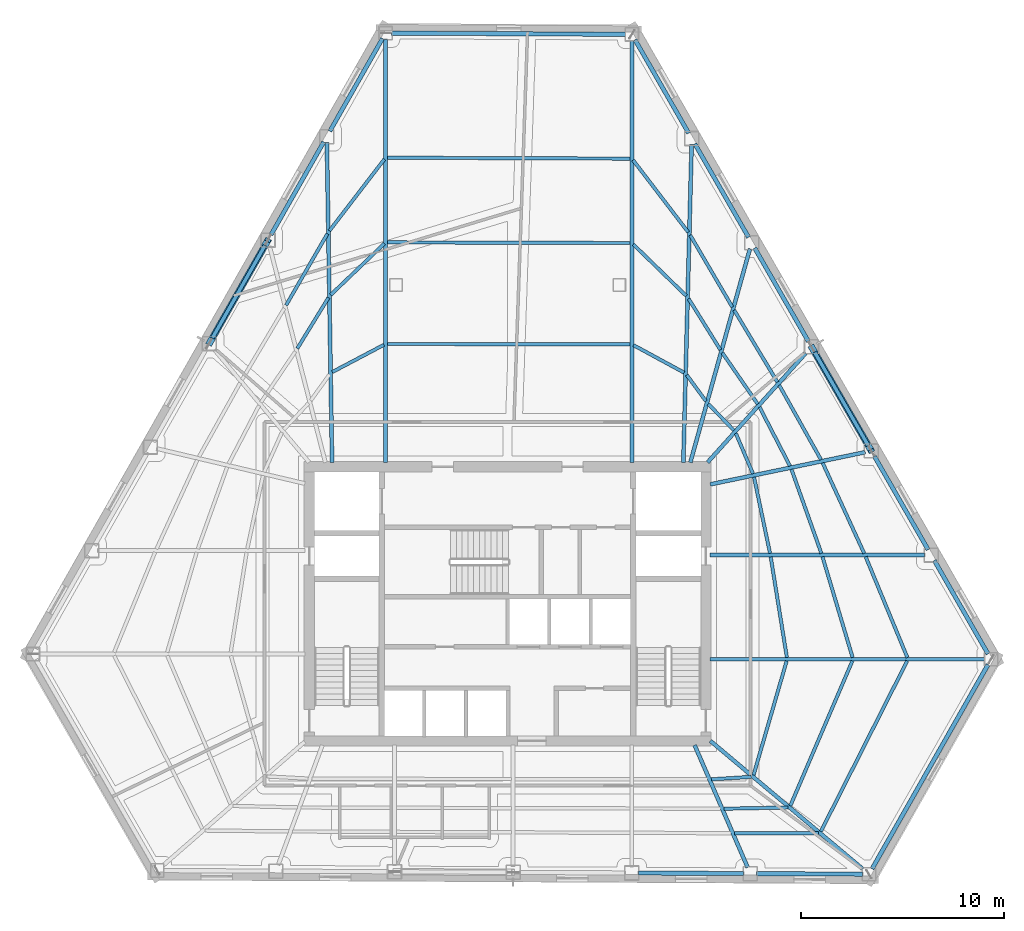
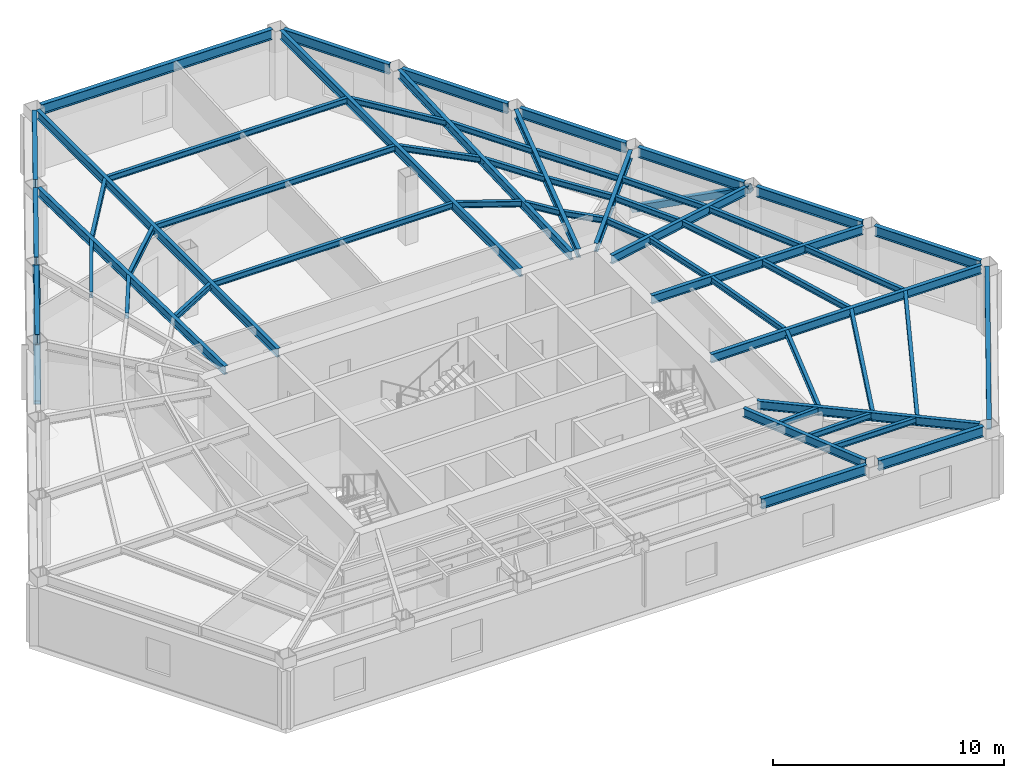
# One storey, part 2 of 12: 56 beams, 2 members.
"""IFC4 building model written with IfcOpenShell, lengths in metres."""

from ifc_helpers import new_model, si_unit, direction, frame, origin, origin_2d, place, context, subcontext, project, spatial, hollow_rectangle, i_section, extrude, material, material_profile, profile_set, type_object, element, save


model = new_model("IFC4")

# Units and contexts
model_context = context("Model", 3, precision=1e-05, world=origin(), true_north=direction((0.0, 1.0)))
body_context = subcontext(model_context, "Body", "Model", "MODEL_VIEW")
ifc_project = project(units=[si_unit("LENGTHUNIT", "METRE"), si_unit("AREAUNIT", "SQUARE_METRE"), si_unit("VOLUMEUNIT", "CUBIC_METRE"), si_unit("PLANEANGLEUNIT", "RADIAN"), si_unit("MASSUNIT", "GRAM", prefix="KILO")], contexts=[model_context])

# Site, building, storey
site_placement = place(None, origin())
site = spatial("IfcSite", under=ifc_project, at=site_placement, CompositionType="ELEMENT")
building_placement = place(site_placement, origin())
building = spatial("IfcBuilding", under=site, at=building_placement, Name="Kavelnor Concourse Tower", CompositionType="ELEMENT")
storey_placement = place(building_placement, frame((0.0, 0.0, 104.75)))
storey = spatial("IfcBuildingStorey", under=building, at=storey_placement, Name="L26", CompositionType="ELEMENT", Elevation=104.75)

# Beams
ifc_material = material(Name="Steel Grade 350", Category="steel")
ifc_material_profile_1 = material_profile(ifc_material, i_section(OverallWidth=0.166015625, OverallDepth=0.306884765625, WebThickness=0.006591796875, FlangeThickness=0.01171875, at=origin_2d()), Name="310UB46")
ifc_profile_set_1 = profile_set([ifc_material_profile_1], Name="Steel Grade 350")
beam_type_1 = type_object("IfcBeamType", Name="BM-JOIST-310", PredefinedType="JOIST", material=ifc_profile_set_1)
beam_1_placement = place(storey_placement, frame((48.0322265625, 7.45703125, 3.446533203125), z_axis=(0.998104270478, 0.061545635537, 0.0), x_axis=(-0.061545635537, 0.998104270478, 0.0)))
element("IfcBeam", 1, at=beam_1_placement, inside=storey, type_object=beam_type_1, Name="L26 Secondary Composite Joist 07-1", PredefinedType="JOIST", context=body_context, shape_type="SweptSolid", body=[
    extrude(i_section(OverallWidth=0.166015625, OverallDepth=0.306884765625, WebThickness=0.006591796875, FlangeThickness=0.01171875, at=origin_2d()), origin(), (0.0, 0.0, 1.0), 1.971435546875),
])
beam_2_placement = place(storey_placement, frame((48.659423828125, 6.0087890625, 3.446533203125), z_axis=(0.999815656937, 0.019200316223, 0.0), x_axis=(-0.019200316223, 0.999815656937, 0.0)))
element("IfcBeam", 2, at=beam_2_placement, inside=storey, type_object=beam_type_1, Name="L26 Secondary Composite Joist 07-2", PredefinedType="JOIST", context=body_context, shape_type="SweptSolid", body=[
    extrude(i_section(OverallWidth=0.166015625, OverallDepth=0.306884765625, WebThickness=0.006591796875, FlangeThickness=0.01171875, at=origin_2d()), origin(), (0.0, 0.0, 1.0), 3.140625),
])
beam_3_placement = place(storey_placement, frame((49.181884765625, 4.8037109375, 3.446533203125), z_axis=(0.999998901306, 0.001482358288, 0.0), x_axis=(-0.001482358288, 0.999998901306, 0.0)))
element("IfcBeam", 3, at=beam_3_placement, inside=storey, type_object=beam_type_1, Name="L26 Secondary Composite Joist 07-3", PredefinedType="JOIST", context=body_context, shape_type="SweptSolid", body=[
    extrude(i_section(OverallWidth=0.166015625, OverallDepth=0.306884765625, WebThickness=0.006591796875, FlangeThickness=0.01171875, at=origin_2d()), origin(), (0.0, 0.0, 1.0), 4.117431640625),
])
beam_4_placement = place(storey_placement, frame((50.11376953125, 7.669189453125, 3.446533203125), z_axis=(0.278659955964, 0.960389831757, 0.0), x_axis=(-0.960389831757, 0.278659955964, 0.0)))
element("IfcBeam", 4, at=beam_4_placement, inside=storey, type_object=beam_type_1, Name="L26 Secondary Composite Joist 08-1", PredefinedType="JOIST", context=body_context, shape_type="SweptSolid", body=[
    extrude(i_section(OverallWidth=0.166015625, OverallDepth=0.306884765625, WebThickness=0.006591796875, FlangeThickness=0.01171875, at=origin_2d()), origin(), (0.0, 0.0, 1.0), 5.849853515625),
])
beam_5_placement = place(storey_placement, frame((51.923583984375, 6.152587890625, 3.446533203125), z_axis=(0.393706805824, 0.919236069271, 0.0), x_axis=(-0.919236069271, 0.393706805824, 0.0)))
element("IfcBeam", 5, at=beam_5_placement, inside=storey, type_object=beam_type_1, Name="L26 Secondary Composite Joist 08-2", PredefinedType="JOIST", context=body_context, shape_type="SweptSolid", body=[
    extrude(i_section(OverallWidth=0.166015625, OverallDepth=0.306884765625, WebThickness=0.006591796875, FlangeThickness=0.01171875, at=origin_2d()), origin(), (0.0, 0.0, 1.0), 7.765625),
])
beam_6_placement = place(storey_placement, frame((53.428466796875, 4.889404296875, 3.446533203125), z_axis=(0.451573149017, 0.892234101056, 0.0), x_axis=(-0.892234101056, 0.451573149017, 0.0)))
element("IfcBeam", 6, at=beam_6_placement, inside=storey, type_object=beam_type_1, Name="L26 Secondary Composite Joist 08-3", PredefinedType="JOIST", context=body_context, shape_type="SweptSolid", body=[
    extrude(i_section(OverallWidth=0.166015625, OverallDepth=0.306884765625, WebThickness=0.006591796875, FlangeThickness=0.01171875, at=origin_2d()), origin(), (0.0, 0.0, 1.0), 9.419189453125),
])
beam_7_placement = place(storey_placement, frame((51.75439453125, 13.460693359375, 3.446533203125), z_axis=(-0.158863640224, 0.987300533685, 0.0), x_axis=(-0.987300533685, -0.158863640224, 0.0)))
element("IfcBeam", 7, at=beam_7_placement, inside=storey, type_object=beam_type_1, Name="L26 Secondary Composite Joist 09-1", PredefinedType="JOIST", context=body_context, shape_type="SweptSolid", body=[
    extrude(i_section(OverallWidth=0.166015625, OverallDepth=0.306884765625, WebThickness=0.006591796875, FlangeThickness=0.01171875, at=origin_2d()), origin(), (0.0, 0.0, 1.0), 5.01611328125),
])
beam_8_placement = place(storey_placement, frame((54.990478515625, 13.4580078125, 3.446533203125), z_axis=(-0.286404075349, 0.958108921587, 0.0), x_axis=(-0.958108921587, -0.286404075349, 0.0)))
element("IfcBeam", 8, at=beam_8_placement, inside=storey, type_object=beam_type_1, Name="L26 Secondary Composite Joist 09-2", PredefinedType="JOIST", context=body_context, shape_type="SweptSolid", body=[
    extrude(i_section(OverallWidth=0.166015625, OverallDepth=0.306884765625, WebThickness=0.006591796875, FlangeThickness=0.01171875, at=origin_2d()), origin(), (0.0, 0.0, 1.0), 5.17431640625),
])
beam_9_placement = place(storey_placement, frame((57.68798828125, 13.455078125, 3.446533203125), z_axis=(-0.382397286143, 0.923998006248, 0.0), x_axis=(-0.923998006248, -0.382397286143, 0.0)))
element("IfcBeam", 9, at=beam_9_placement, inside=storey, type_object=beam_type_1, Name="L26 Secondary Composite Joist 09-3", PredefinedType="JOIST", context=body_context, shape_type="SweptSolid", body=[
    extrude(i_section(OverallWidth=0.166015625, OverallDepth=0.306884765625, WebThickness=0.006591796875, FlangeThickness=0.01171875, at=origin_2d()), origin(), (0.0, 0.0, 1.0), 5.371826171875),
])
beam_10_placement = place(storey_placement, frame((50.9248046875, 18.587890625, 3.446533203125), z_axis=(-0.205673405393, 0.978620687659, 0.0), x_axis=(-0.978620687659, -0.205673405393, 0.0)))
element("IfcBeam", 10, at=beam_10_placement, inside=storey, type_object=beam_type_1, Name="L26 Secondary Composite Joist 10-1", PredefinedType="JOIST", context=body_context, shape_type="SweptSolid", body=[
    extrude(i_section(OverallWidth=0.166015625, OverallDepth=0.306884765625, WebThickness=0.006591796875, FlangeThickness=0.01171875, at=origin_2d()), origin(), (0.0, 0.0, 1.0), 3.8330078125),
])
beam_11_placement = place(storey_placement, frame((53.453369140625, 18.584716796875, 3.446533203125), z_axis=(-0.335455943396, 0.942055895391, 0.0), x_axis=(-0.942055895391, -0.335455943396, 0.0)))
element("IfcBeam", 11, at=beam_11_placement, inside=storey, type_object=beam_type_1, Name="L26 Secondary Composite Joist 10-2", PredefinedType="JOIST", context=body_context, shape_type="SweptSolid", body=[
    extrude(i_section(OverallWidth=0.166015625, OverallDepth=0.306884765625, WebThickness=0.006591796875, FlangeThickness=0.01171875, at=origin_2d()), origin(), (0.0, 0.0, 1.0), 4.39208984375),
])
beam_12_placement = place(storey_placement, frame((55.5625, 18.581787109375, 3.446533203125), z_axis=(-0.417382504058, 0.90873089818, 0.0), x_axis=(-0.90873089818, -0.417382504058, 0.0)))
element("IfcBeam", 12, at=beam_12_placement, inside=storey, type_object=beam_type_1, Name="L26 Secondary Composite Joist 10-3", PredefinedType="JOIST", context=body_context, shape_type="SweptSolid", body=[
    extrude(i_section(OverallWidth=0.166015625, OverallDepth=0.306884765625, WebThickness=0.006591796875, FlangeThickness=0.01171875, at=origin_2d()), origin(), (0.0, 0.0, 1.0), 4.908203125),
])
beam_13_placement = place(storey_placement, frame((50.08349609375, 22.5078125, 3.446533203125), z_axis=(-0.390433592157, 0.92063109339, 0.0), x_axis=(-0.92063109339, -0.390433592157, 0.0)))
element("IfcBeam", 13, at=beam_13_placement, inside=storey, type_object=beam_type_1, Name="L26 Secondary Composite Joist 11-1", PredefinedType="JOIST", context=body_context, shape_type="SweptSolid", body=[
    extrude(i_section(OverallWidth=0.166015625, OverallDepth=0.306884765625, WebThickness=0.006591796875, FlangeThickness=0.01171875, at=origin_2d()), origin(), (0.0, 0.0, 1.0), 2.1572265625),
])
beam_14_placement = place(storey_placement, frame((51.9091796875, 22.88525390625, 3.446533203125), z_axis=(-0.45948593653, 0.888185044983, 0.0), x_axis=(-0.888185044983, -0.45948593653, 0.0)))
element("IfcBeam", 14, at=beam_14_placement, inside=storey, type_object=beam_type_1, Name="L26 Secondary Composite Joist 11-2", PredefinedType="JOIST", context=body_context, shape_type="SweptSolid", body=[
    extrude(i_section(OverallWidth=0.166015625, OverallDepth=0.306884765625, WebThickness=0.006591796875, FlangeThickness=0.01171875, at=origin_2d()), origin(), (0.0, 0.0, 1.0), 3.26708984375),
])
beam_15_placement = place(storey_placement, frame((53.433349609375, 23.20068359375, 3.446533203125), z_axis=(-0.489388988675, 0.872065604048, 0.0), x_axis=(-0.872065604048, -0.489388988675, 0.0)))
element("IfcBeam", 15, at=beam_15_placement, inside=storey, type_object=beam_type_1, Name="L26 Secondary Composite Joist 11-3", PredefinedType="JOIST", context=body_context, shape_type="SweptSolid", body=[
    extrude(i_section(OverallWidth=0.166015625, OverallDepth=0.306884765625, WebThickness=0.006591796875, FlangeThickness=0.01171875, at=origin_2d()), origin(), (0.0, 0.0, 1.0), 4.200439453125),
])
beam_16_placement = place(storey_placement, frame((49.14453125, 24.6396484375, 3.446533203125), z_axis=(-0.695096300528, 0.718916638417, 0.0), x_axis=(-0.718916638417, -0.695096300528, 0.0)))
element("IfcBeam", 16, at=beam_16_placement, inside=storey, type_object=beam_type_1, Name="L26 Secondary Composite Joist 12-1", PredefinedType="JOIST", context=body_context, shape_type="SweptSolid", body=[
    extrude(i_section(OverallWidth=0.166015625, OverallDepth=0.306884765625, WebThickness=0.006591796875, FlangeThickness=0.01171875, at=origin_2d()), origin(), (0.0, 0.0, 1.0), 1.814208984375),
])
beam_17_placement = place(storey_placement, frame((50.31640625, 25.939453125, 3.446533203125), z_axis=(-0.568057043562, 0.822989182954, 0.0), x_axis=(-0.822989182954, -0.568057043562, 0.0)))
element("IfcBeam", 17, at=beam_17_placement, inside=storey, type_object=beam_type_1, Name="L26 Secondary Composite Joist 12-2", PredefinedType="JOIST", context=body_context, shape_type="SweptSolid", body=[
    extrude(i_section(OverallWidth=0.166015625, OverallDepth=0.306884765625, WebThickness=0.006591796875, FlangeThickness=0.01171875, at=origin_2d()), origin(), (0.0, 0.0, 1.0), 3.062744140625),
])
beam_18_placement = place(storey_placement, frame((51.288330078125, 27.017578125, 3.446533203125), z_axis=(-0.515060120998, 0.85715405369, 0.0), x_axis=(-0.85715405369, -0.515060120998, 0.0)))
element("IfcBeam", 18, at=beam_18_placement, inside=storey, type_object=beam_type_1, Name="L26 Secondary Composite Joist 12-3", PredefinedType="JOIST", context=body_context, shape_type="SweptSolid", body=[
    extrude(i_section(OverallWidth=0.166015625, OverallDepth=0.306884765625, WebThickness=0.006591796875, FlangeThickness=0.01171875, at=origin_2d()), origin(), (0.0, 0.0, 1.0), 4.13427734375),
])
beam_19_placement = place(storey_placement, frame((47.76904296875, 26.07958984375, 3.446533203125), z_axis=(-0.591231466812, 0.806501923526, 0.0), x_axis=(-0.806501923526, -0.591231466812, 0.0)))
element("IfcBeam", 19, at=beam_19_placement, inside=storey, type_object=beam_type_1, Name="L26 Secondary Composite Joist 13-1", PredefinedType="JOIST", context=body_context, shape_type="SweptSolid", body=[
    extrude(i_section(OverallWidth=0.166015625, OverallDepth=0.306884765625, WebThickness=0.006591796875, FlangeThickness=0.01171875, at=origin_2d()), origin(), (0.0, 0.0, 1.0), 1.601318359375),
])
beam_20_placement = place(storey_placement, frame((48.47900390625, 28.608642578125, 3.446533203125), z_axis=(-0.528101194385, 0.849181446152, 0.0), x_axis=(-0.849181446152, -0.528101194385, 0.0)))
element("IfcBeam", 20, at=beam_20_placement, inside=storey, type_object=beam_type_1, Name="L26 Secondary Composite Joist 13-2", PredefinedType="JOIST", context=body_context, shape_type="SweptSolid", body=[
    extrude(i_section(OverallWidth=0.166015625, OverallDepth=0.306884765625, WebThickness=0.006591796875, FlangeThickness=0.01171875, at=origin_2d()), origin(), (0.0, 0.0, 1.0), 2.96240234375),
])
beam_21_placement = place(storey_placement, frame((49.068115234375, 30.71435546875, 3.446533203125), z_axis=(-0.505575920492, 0.862782121174, 0.0), x_axis=(-0.862782121174, -0.505575920492, 0.0)))
element("IfcBeam", 21, at=beam_21_placement, inside=storey, type_object=beam_type_1, Name="L26 Secondary Composite Joist 13-3", PredefinedType="JOIST", context=body_context, shape_type="SweptSolid", body=[
    extrude(i_section(OverallWidth=0.166015625, OverallDepth=0.306884765625, WebThickness=0.006591796875, FlangeThickness=0.01171875, at=origin_2d()), origin(), (0.0, 0.0, 1.0), 4.102294921875),
])
beam_22_placement = place(storey_placement, frame((46.69140625, 27.4853515625, 3.446533203125), z_axis=(-0.878947364691, 0.476918787744, 0.0), x_axis=(-0.476918787744, -0.878947364691, 0.0)))
element("IfcBeam", 22, at=beam_22_placement, inside=storey, type_object=beam_type_1, Name="L26 Secondary Composite Joist 14-1", PredefinedType="JOIST", context=body_context, shape_type="SweptSolid", body=[
    extrude(i_section(OverallWidth=0.166015625, OverallDepth=0.306884765625, WebThickness=0.006591796875, FlangeThickness=0.01171875, at=origin_2d()), origin(), (0.0, 0.0, 1.0), 2.8330078125),
])
beam_23_placement = place(storey_placement, frame((46.8037109375, 31.26171875, 3.446533203125), z_axis=(-0.717171401235, 0.696896822529, 0.0), x_axis=(-0.696896822529, -0.717171401235, 0.0)))
element("IfcBeam", 23, at=beam_23_placement, inside=storey, type_object=beam_type_1, Name="L26 Secondary Composite Joist 14-2", PredefinedType="JOIST", context=body_context, shape_type="SweptSolid", body=[
    extrude(i_section(OverallWidth=0.166015625, OverallDepth=0.306884765625, WebThickness=0.006591796875, FlangeThickness=0.01171875, at=origin_2d()), origin(), (0.0, 0.0, 1.0), 3.648681640625),
])
beam_24_placement = place(storey_placement, frame((46.89501953125, 34.401123046875, 3.446533203125), z_axis=(-0.607764194886, 0.794117550124, 0.0), x_axis=(-0.794117550124, -0.607764194886, 0.0)))
element("IfcBeam", 24, at=beam_24_placement, inside=storey, type_object=beam_type_1, Name="L26 Secondary Composite Joist 14-3", PredefinedType="JOIST", context=body_context, shape_type="SweptSolid", body=[
    extrude(i_section(OverallWidth=0.166015625, OverallDepth=0.306884765625, WebThickness=0.006591796875, FlangeThickness=0.01171875, at=origin_2d()), origin(), (0.0, 0.0, 1.0), 4.471435546875),
])
for number, where, z_axis, x_axis, name in (
    (25, (44.0341796875, 28.87890625, 3.446533203125), (-0.999998948729, 0.001450013793, 0.0), (-0.001450013793, -0.999998948729, 0.0), "L26 Secondary Composite Joist 15-1"),
    (26, (44.0341796875, 33.86669921875, 3.446533203125), (-0.999996421189, 0.002675370799, 0.0), (-0.002675370799, -0.999996421189, 0.0), "L26 Secondary Composite Joist 15-2"),
    (27, (44.0341796875, 38.02294921875, 3.446533203125), (-0.99999301613, 0.003737337322, 0.0), (-0.003737337322, -0.99999301613, 0.0), "L26 Secondary Composite Joist 15-3"),
):
    element("IfcBeam", number, at=place(storey_placement, frame(where, z_axis=z_axis, x_axis=x_axis)), inside=storey, type_object=beam_type_1, Name=name, PredefinedType="JOIST", context=body_context, shape_type="SweptSolid", body=[
        extrude(i_section(OverallWidth=0.166015625, OverallDepth=0.306884765625, WebThickness=0.006591796875, FlangeThickness=0.01171875, at=origin_2d()), origin(), (0.0, 0.0, 1.0), 11.954345703125),
    ])
beam_25_placement = place(storey_placement, frame((31.912109375, 28.85498046875, 3.446533203125), z_axis=(-0.884448894536, -0.466637067703, 0.0), x_axis=(0.466637067703, -0.884448894536, 0.0)))
element("IfcBeam", 28, at=beam_25_placement, inside=storey, type_object=beam_type_1, Name="L26 Secondary Composite Joist 16-1", PredefinedType="JOIST", context=body_context, shape_type="SweptSolid", body=[
    extrude(i_section(OverallWidth=0.166015625, OverallDepth=0.306884765625, WebThickness=0.006591796875, FlangeThickness=0.01171875, at=origin_2d()), origin(), (0.0, 0.0, 1.0), 2.880126953125),
])
beam_26_placement = place(storey_placement, frame((31.926513671875, 33.83740234375, 3.446533203125), z_axis=(-0.722148165539, -0.691738409378, 0.0), x_axis=(0.691738409378, -0.722148165539, 0.0)))
element("IfcBeam", 29, at=beam_26_placement, inside=storey, type_object=beam_type_1, Name="L26 Secondary Composite Joist 16-2", PredefinedType="JOIST", context=body_context, shape_type="SweptSolid", body=[
    extrude(i_section(OverallWidth=0.166015625, OverallDepth=0.306884765625, WebThickness=0.006591796875, FlangeThickness=0.01171875, at=origin_2d()), origin(), (0.0, 0.0, 1.0), 3.65283203125),
])
beam_27_placement = place(storey_placement, frame((31.9365234375, 37.997314453125, 3.446533203125), z_axis=(-0.609050102371, -0.793131749965, 0.0), x_axis=(0.793131749965, -0.609050102371, 0.0)))
element("IfcBeam", 30, at=beam_27_placement, inside=storey, type_object=beam_type_1, Name="L26 Secondary Composite Joist 16-3", PredefinedType="JOIST", context=body_context, shape_type="SweptSolid", body=[
    extrude(i_section(OverallWidth=0.166015625, OverallDepth=0.306884765625, WebThickness=0.006591796875, FlangeThickness=0.01171875, at=origin_2d()), origin(), (0.0, 0.0, 1.0), 4.4482421875),
])
beam_28_placement = place(storey_placement, frame((29.177734375, 31.173095703125, 3.446533203125), z_axis=(-0.52281402565, -0.852446769355, 0.0), x_axis=(0.852446769355, -0.52281402565, 0.0)))
element("IfcBeam", 31, at=beam_28_placement, inside=storey, type_object=beam_type_1, Name="L26 Secondary Composite Joist 17-2", PredefinedType="JOIST", context=body_context, shape_type="SweptSolid", body=[
    extrude(i_section(OverallWidth=0.166015625, OverallDepth=0.306884765625, WebThickness=0.006591796875, FlangeThickness=0.01171875, at=origin_2d()), origin(), (0.0, 0.0, 1.0), 2.9306640625),
])
beam_29_placement = place(storey_placement, frame((29.12841796875, 34.321533203125, 3.446533203125), z_axis=(-0.500882269219, -0.865515425849, 0.0), x_axis=(0.865515425849, -0.500882269219, 0.0)))
element("IfcBeam", 32, at=beam_29_placement, inside=storey, type_object=beam_type_1, Name="L26 Secondary Composite Joist 17-3", PredefinedType="JOIST", context=body_context, shape_type="SweptSolid", body=[
    extrude(i_section(OverallWidth=0.166015625, OverallDepth=0.306884765625, WebThickness=0.006591796875, FlangeThickness=0.01171875, at=origin_2d()), origin(), (0.0, 0.0, 1.0), 4.062255859375),
])
ifc_material_profile_2 = material_profile(ifc_material, i_section(OverallWidth=0.18994140625, OverallDepth=0.4541015625, WebThickness=0.008544921875, FlangeThickness=0.0126953125, at=origin_2d()), Name="460UB67")
ifc_profile_set_2 = profile_set([ifc_material_profile_2], Name="Steel Grade 350")
beam_type_2 = type_object("IfcBeamType", Name="BM-PRIMARY-460", PredefinedType="BEAM", material=ifc_profile_set_2)
beam_30_placement = place(storey_placement, frame((31.99072265625, 23.06005859375, 3.373046875), z_axis=(0.0, 1.0, 0.0), x_axis=(-1.0, 0.0, 0.0)))
element("IfcBeam", 33, at=beam_30_placement, inside=storey, type_object=beam_type_2, Name="L26 Primary Floor Girder F0-B0", PredefinedType="BEAM", context=body_context, shape_type="SweptSolid", body=[
    extrude(i_section(OverallWidth=0.18994140625, OverallDepth=0.4541015625, WebThickness=0.008544921875, FlangeThickness=0.0126953125, at=origin_2d()), origin(), (0.0, 0.0, 1.0), 20.84423828125),
])
beam_31_placement = place(storey_placement, frame((29.35791015625, 23.06005859375, 3.373046875), z_axis=(-0.016291400811, 0.999867286323, 0.0), x_axis=(-0.999867286323, -0.016291400811, 0.0)))
element("IfcBeam", 34, at=beam_31_placement, inside=storey, type_object=beam_type_2, Name="L26 Primary Floor Girder F0-B1", PredefinedType="BEAM", context=body_context, shape_type="SweptSolid", body=[
    extrude(i_section(OverallWidth=0.18994140625, OverallDepth=0.4541015625, WebThickness=0.008544921875, FlangeThickness=0.0126953125, at=origin_2d()), origin(), (0.0, 0.0, 1.0), 15.750244140625),
])
beam_32_placement = place(storey_placement, frame((47.2119140625, 9.13671875, 3.373046875), z_axis=(0.398199465557, -0.917298852953, 0.0), x_axis=(0.917298852953, 0.398199465557, 0.0)))
element("IfcBeam", 35, at=beam_32_placement, inside=storey, type_object=beam_type_2, Name="L26 Primary Floor Girder F1-B5", PredefinedType="BEAM", context=body_context, shape_type="SweptSolid", body=[
    extrude(i_section(OverallWidth=0.18994140625, OverallDepth=0.4541015625, WebThickness=0.008544921875, FlangeThickness=0.0126953125, at=origin_2d()), origin(), (0.0, 0.0, 1.0), 6.560791015625),
])
beam_33_placement = place(storey_placement, frame((47.989501953125, 9.348876953125, 3.373046875), z_axis=(0.765433786045, -0.643514661201, 0.0), x_axis=(0.643514661201, 0.765433786045, 0.0)))
element("IfcBeam", 36, at=beam_33_placement, inside=storey, type_object=beam_type_2, Name="L26 Primary Floor Girder F1-B6", PredefinedType="BEAM", context=body_context, shape_type="SweptSolid", body=[
    extrude(i_section(OverallWidth=0.18994140625, OverallDepth=0.4541015625, WebThickness=0.008544921875, FlangeThickness=0.0126953125, at=origin_2d()), origin(), (0.0, 0.0, 1.0), 9.796142578125),
])
beam_34_placement = place(storey_placement, frame((47.97998046875, 13.372802734375, 3.373046875), z_axis=(1.0, 0.0, 0.0), x_axis=(0.0, 1.0, 0.0)))
element("IfcBeam", 37, at=beam_34_placement, inside=storey, type_object=beam_type_2, Name="L26 Primary Floor Girder F2-B0", PredefinedType="BEAM", context=body_context, shape_type="SweptSolid", body=[
    extrude(i_section(OverallWidth=0.18994140625, OverallDepth=0.4541015625, WebThickness=0.008544921875, FlangeThickness=0.0126953125, at=origin_2d()), origin(), (0.0, 0.0, 1.0), 13.53076171875),
])
beam_35_placement = place(storey_placement, frame((47.97998046875, 18.5009765625, 3.373046875), z_axis=(1.0, 0.0, 0.0), x_axis=(0.0, 1.0, 0.0)))
element("IfcBeam", 38, at=beam_35_placement, inside=storey, type_object=beam_type_2, Name="L26 Primary Floor Girder F2-B1", PredefinedType="BEAM", context=body_context, shape_type="SweptSolid", body=[
    extrude(i_section(OverallWidth=0.18994140625, OverallDepth=0.4541015625, WebThickness=0.008544921875, FlangeThickness=0.0126953125, at=origin_2d()), origin(), (0.0, 0.0, 1.0), 10.5830078125),
])
beam_36_placement = place(storey_placement, frame((47.980712890625, 21.982421875, 3.373046875), z_axis=(0.979136188722, 0.203205127726, 0.0), x_axis=(-0.203205127726, 0.979136188722, 0.0)))
element("IfcBeam", 39, at=beam_36_placement, inside=storey, type_object=beam_type_2, Name="L26 Primary Floor Girder F2-B2", PredefinedType="BEAM", context=body_context, shape_type="SweptSolid", body=[
    extrude(i_section(OverallWidth=0.18994140625, OverallDepth=0.4541015625, WebThickness=0.008544921875, FlangeThickness=0.0126953125, at=origin_2d()), origin(), (0.0, 0.0, 1.0), 7.796142578125),
])
beam_37_placement = place(storey_placement, frame((47.852294921875, 23.0703125, 3.373046875), z_axis=(0.668709151108, 0.743524089203, 0.0), x_axis=(-0.743524089203, 0.668709151108, 0.0)))
element("IfcBeam", 40, at=beam_37_placement, inside=storey, type_object=beam_type_2, Name="L26 Primary Floor Girder F2-B3", PredefinedType="BEAM", context=body_context, shape_type="SweptSolid", body=[
    extrude(i_section(OverallWidth=0.18994140625, OverallDepth=0.4541015625, WebThickness=0.008544921875, FlangeThickness=0.0126953125, at=origin_2d()), origin(), (0.0, 0.0, 1.0), 7.2314453125),
])
beam_38_placement = place(storey_placement, frame((46.999755859375, 23.0615234375, 3.373046875), z_axis=(0.268703010086, 0.963223075082, 0.0), x_axis=(-0.963223075082, 0.268703010086, 0.0)))
element("IfcBeam", 41, at=beam_38_placement, inside=storey, type_object=beam_type_2, Name="L26 Primary Floor Girder F2-B4", PredefinedType="BEAM", context=body_context, shape_type="SweptSolid", body=[
    extrude(i_section(OverallWidth=0.18994140625, OverallDepth=0.4541015625, WebThickness=0.008544921875, FlangeThickness=0.0126953125, at=origin_2d()), origin(), (0.0, 0.0, 1.0), 10.924072265625),
])
beam_39_placement = place(storey_placement, frame((46.655517578125, 23.06005859375, 3.373046875), z_axis=(0.026053290724, 0.99966055541, 0.0), x_axis=(-0.99966055541, 0.026053290724, 0.0)))
element("IfcBeam", 42, at=beam_39_placement, inside=storey, type_object=beam_type_2, Name="L26 Primary Floor Girder F2-B5", PredefinedType="BEAM", context=body_context, shape_type="SweptSolid", body=[
    extrude(i_section(OverallWidth=0.18994140625, OverallDepth=0.4541015625, WebThickness=0.008544921875, FlangeThickness=0.0126953125, at=origin_2d()), origin(), (0.0, 0.0, 1.0), 15.65869140625),
])
beam_40_placement = place(storey_placement, frame((44.123291015625, 23.06005859375, 3.373046875), z_axis=(0.0, 1.0, 0.0), x_axis=(-1.0, 0.0, 0.0)))
element("IfcBeam", 43, at=beam_40_placement, inside=storey, type_object=beam_type_2, Name="L26 Primary Floor Girder F2-B6", PredefinedType="BEAM", context=body_context, shape_type="SweptSolid", body=[
    extrude(i_section(OverallWidth=0.18994140625, OverallDepth=0.4541015625, WebThickness=0.008544921875, FlangeThickness=0.0126953125, at=origin_2d()), origin(), (0.0, 0.0, 1.0), 20.781494140625),
])
ifc_material_profile_3 = material_profile(ifc_material, i_section(OverallWidth=0.208984375, OverallDepth=0.532958984375, WebThickness=0.01025390625, FlangeThickness=0.015625, at=origin_2d()), Name="530UB92")
ifc_profile_set_3 = profile_set([ifc_material_profile_3], Name="Steel Grade 350")
beam_type_3 = type_object("IfcBeamType", Name="BM-SPANDREL-Z2", PredefinedType="SPANDREL", material=ifc_profile_set_3)
beam_41_placement = place(storey_placement, frame((31.840087890625, 43.939208984375, 3.33349609375), z_axis=(-0.493864017051, -0.869539149585, 0.0), x_axis=(0.869539149585, -0.493864017051, 0.0)))
element("IfcBeam", 44, at=beam_41_placement, inside=storey, type_object=beam_type_3, Name="L26 Perimeter Tube Spandrel Beam F0-B0", PredefinedType="SPANDREL", context=body_context, shape_type="SweptSolid", body=[
    extrude(i_section(OverallWidth=0.208984375, OverallDepth=0.532958984375, WebThickness=0.01025390625, FlangeThickness=0.015625, at=origin_2d()), origin(), (0.0, 0.0, 1.0), 5.2509765625),
])
beam_42_placement = place(storey_placement, frame((28.94580078125, 38.843017578125, 3.33349609375), z_axis=(-0.493879204086, -0.869530523772, 0.0), x_axis=(0.869530523772, -0.493879204086, 0.0)))
element("IfcBeam", 45, at=beam_42_placement, inside=storey, type_object=beam_type_3, Name="L26 Perimeter Tube Spandrel Beam F0-B1", PredefinedType="SPANDREL", context=body_context, shape_type="SweptSolid", body=[
    extrude(i_section(OverallWidth=0.208984375, OverallDepth=0.532958984375, WebThickness=0.01025390625, FlangeThickness=0.015625, at=origin_2d()), origin(), (0.0, 0.0, 1.0), 5.251220703125),
])
beam_43_placement = place(storey_placement, frame((26.051025390625, 33.74658203125, 3.33349609375), z_axis=(-0.493864017051, -0.869539149585, 0.0), x_axis=(0.869539149585, -0.493864017051, 0.0)))
element("IfcBeam", 46, at=beam_43_placement, inside=storey, type_object=beam_type_3, Name="L26 Perimeter Tube Spandrel Beam F0-B2", PredefinedType="SPANDREL", context=body_context, shape_type="SweptSolid", body=[
    extrude(i_section(OverallWidth=0.208984375, OverallDepth=0.532958984375, WebThickness=0.01025390625, FlangeThickness=0.015625, at=origin_2d()), origin(), (0.0, 0.0, 1.0), 5.2509765625),
])
beam_44_placement = place(storey_placement, frame((43.818359375, 44.14306640625, 3.33349609375), z_axis=(-0.99998652642, 0.005191047948, 0.0), x_axis=(-0.005191047948, -0.99998652642, 0.0)))
element("IfcBeam", 47, at=beam_44_placement, inside=storey, type_object=beam_type_3, Name="L26 Chamfer Facet Spandrel Beam C0", PredefinedType="SPANDREL", context=body_context, shape_type="SweptSolid", body=[
    extrude(i_section(OverallWidth=0.208984375, OverallDepth=0.532958984375, WebThickness=0.01025390625, FlangeThickness=0.015625, at=origin_2d()), origin(), (0.0, 0.0, 1.0), 11.522705078125),
])
for number, where, z_axis, x_axis, name in (
    (48, (44.420166015625, 2.843994140625, 3.33349609375), (0.99998658085, -0.005180552155, 0.0), (0.005180552155, 0.99998658085, 0.0), "L26 Perimeter Tube Spandrel Beam F1-B4"),
    (49, (50.26123046875, 2.813720703125, 3.33349609375), (0.99998658085, -0.005180552155, 0.0), (0.005180552155, 0.99998658085, 0.0), "L26 Perimeter Tube Spandrel Beam F1-B5"),
):
    element("IfcBeam", number, at=place(storey_placement, frame(where, z_axis=z_axis, x_axis=x_axis)), inside=storey, type_object=beam_type_3, Name=name, PredefinedType="SPANDREL", context=body_context, shape_type="SweptSolid", body=[
        extrude(i_section(OverallWidth=0.208984375, OverallDepth=0.532958984375, WebThickness=0.01025390625, FlangeThickness=0.015625, at=origin_2d()), origin(), (0.0, 0.0, 1.0), 5.23095703125),
    ])
beam_45_placement = place(storey_placement, frame((61.65869140625, 13.63720703125, 3.33349609375), z_axis=(-0.498352664623, 0.866974406579, 0.0), x_axis=(-0.866974406579, -0.498352664623, 0.0)))
element("IfcBeam", 50, at=beam_45_placement, inside=storey, type_object=beam_type_3, Name="L26 Perimeter Tube Spandrel Beam F2-B0", PredefinedType="SPANDREL", context=body_context, shape_type="SweptSolid", body=[
    extrude(i_section(OverallWidth=0.208984375, OverallDepth=0.532958984375, WebThickness=0.01025390625, FlangeThickness=0.015625, at=origin_2d()), origin(), (0.0, 0.0, 1.0), 5.30517578125),
])
beam_46_placement = place(storey_placement, frame((58.7109375, 18.765380859375, 3.33349609375), z_axis=(-0.498407138833, 0.866943091535, 0.0), x_axis=(-0.866943091535, -0.498407138833, 0.0)))
element("IfcBeam", 51, at=beam_46_placement, inside=storey, type_object=beam_type_3, Name="L26 Perimeter Tube Spandrel Beam F2-B1", PredefinedType="SPANDREL", context=body_context, shape_type="SweptSolid", body=[
    extrude(i_section(OverallWidth=0.208984375, OverallDepth=0.532958984375, WebThickness=0.01025390625, FlangeThickness=0.015625, at=origin_2d()), origin(), (0.0, 0.0, 1.0), 5.304931640625),
])
for number, where, z_axis, x_axis, name in (
    (52, (55.762939453125, 23.893310546875, 3.33349609375), (-0.498332781847, 0.866985835257, 0.0), (-0.866985835257, -0.498332781847, 0.0), "L26 Perimeter Tube Spandrel Beam F2-B2"),
    (53, (52.815185546875, 29.021484375, 3.33349609375), (-0.498387254264, 0.866954522906, 0.0), (-0.866954522906, -0.498387254264, 0.0), "L26 Perimeter Tube Spandrel Beam F2-B3"),
    (54, (49.8671875, 34.149658203125, 3.33349609375), (-0.498387254264, 0.866954522906, 0.0), (-0.866954522906, -0.498387254264, 0.0), "L26 Perimeter Tube Spandrel Beam F2-B4"),
    (55, (46.919189453125, 39.27783203125, 3.33349609375), (-0.498352664623, 0.866974406579, 0.0), (-0.866974406579, -0.498352664623, 0.0), "L26 Perimeter Tube Spandrel Beam F2-B5"),
):
    element("IfcBeam", number, at=place(storey_placement, frame(where, z_axis=z_axis, x_axis=x_axis)), inside=storey, type_object=beam_type_3, Name=name, PredefinedType="SPANDREL", context=body_context, shape_type="SweptSolid", body=[
        extrude(i_section(OverallWidth=0.208984375, OverallDepth=0.532958984375, WebThickness=0.01025390625, FlangeThickness=0.015625, at=origin_2d()), origin(), (0.0, 0.0, 1.0), 5.30517578125),
    ])
beam_47_placement = place(storey_placement, frame((55.94775390625, 3.050048828125, 3.33349609375), z_axis=(0.49386869677, 0.869536491673, 0.0), x_axis=(-0.869536491673, 0.49386869677, 0.0)))
element("IfcBeam", 56, at=beam_47_placement, inside=storey, type_object=beam_type_3, Name="L26 Chamfer Facet Spandrel Beam C2", PredefinedType="SPANDREL", context=body_context, shape_type="SweptSolid", body=[
    extrude(i_section(OverallWidth=0.208984375, OverallDepth=0.532958984375, WebThickness=0.01025390625, FlangeThickness=0.015625, at=origin_2d()), origin(), (0.0, 0.0, 1.0), 11.566650390625),
])

# Members
ifc_material_profile_4 = material_profile(ifc_material, hollow_rectangle(XDim=0.320068359375, YDim=0.320068359375, WallThickness=0.01806640625, at=origin_2d()), Name="SHS 320x320x18")
ifc_profile_set_4 = profile_set([ifc_material_profile_4], Name="Steel Grade 350")
member_type = type_object("IfcMemberType", Name="MBR-TUBE-DIAG-Z2", PredefinedType="BRACE", material=ifc_profile_set_4)
member_1_placement = place(storey_placement, frame((23.30712890625, 28.915283203125, 0.219970703125), z_axis=(0.436139048657, 0.767915202489, 0.469136410891), x_axis=(-0.869542342274, 0.493858395689, 0.0)))
element("IfcMember", 57, at=member_1_placement, inside=storey, type_object=member_type, Name="L26 Framed-Tube Bracing Diagonal F0-B2", PredefinedType="BRACE", context=body_context, shape_type="SweptSolid", body=[
    extrude(hollow_rectangle(XDim=0.320068359375, YDim=0.320068359375, WallThickness=0.01806640625, at=origin_2d()), origin(), (0.0, 0.0, 1.0), 6.63671875),
])
member_2_placement = place(storey_placement, frame((52.967041015625, 28.757080078125, 0.219970703125), z_axis=(0.441018204928, -0.767170798717, 0.465780966248), x_axis=(0.866957575774, 0.498381943702, 0.0)))
element("IfcMember", 58, at=member_2_placement, inside=storey, type_object=member_type, Name="L26 Framed-Tube Bracing Diagonal F2-B2", PredefinedType="BRACE", context=body_context, shape_type="SweptSolid", body=[
    extrude(hollow_rectangle(XDim=0.320068359375, YDim=0.320068359375, WallThickness=0.01806640625, at=origin_2d()), origin(), (0.0, 0.0, 1.0), 6.6845703125),
])

save(model, "model.ifc")
